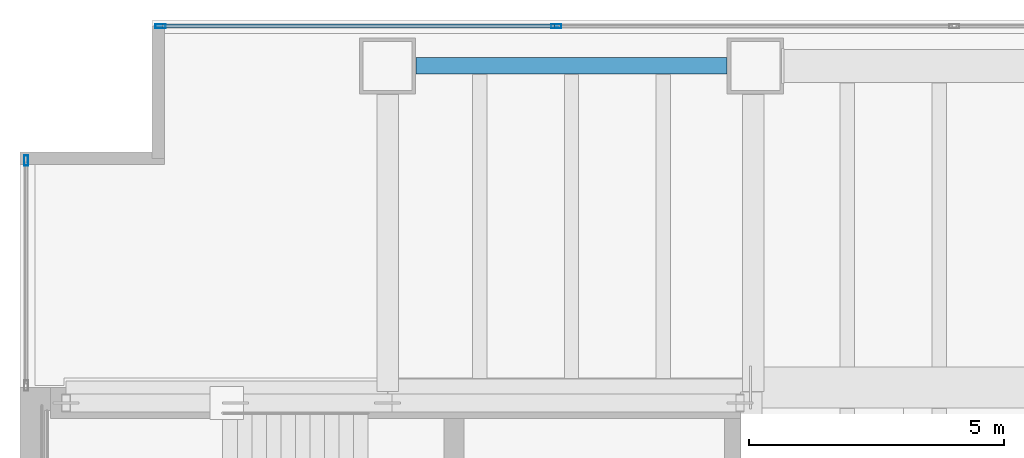
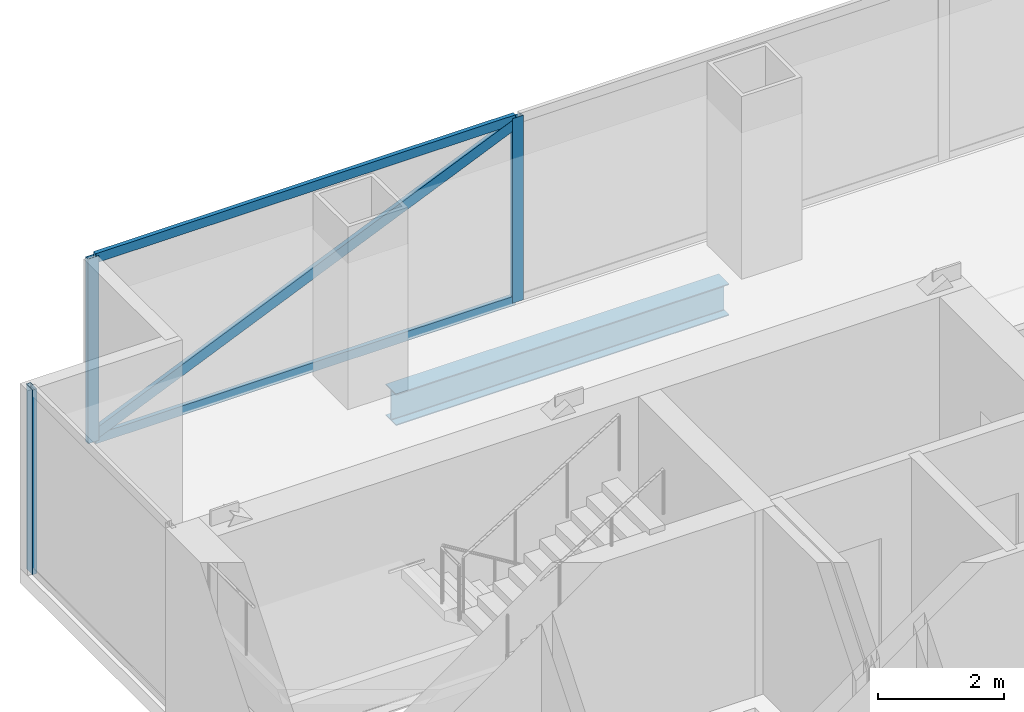
# One storey, part 16 of 24: 6 members, 1 beam, 2 elements without a shape of their own.
"""IFC4 building model written with IfcOpenShell, lengths in metres."""

from ifc_helpers import new_model, si_unit, direction, frame, origin, origin_2d, place, context, subcontext, project, spatial, hollow_rectangle, i_section, extrude, material, material_profile, profile_set, type_object, element, aggregate, save


model = new_model("IFC4")

# Units and contexts
model_context = context("Model", 3, precision=1e-05, world=origin(), true_north=direction((0.0, 1.0)))
body_context = subcontext(model_context, "Body", "Model", "MODEL_VIEW")
ifc_project = project(units=[si_unit("LENGTHUNIT", "METRE"), si_unit("AREAUNIT", "SQUARE_METRE"), si_unit("VOLUMEUNIT", "CUBIC_METRE"), si_unit("PLANEANGLEUNIT", "RADIAN"), si_unit("MASSUNIT", "GRAM", prefix="KILO")], contexts=[model_context])

# Site, building, storey
site_placement = place(None, origin())
site = spatial("IfcSite", under=ifc_project, at=site_placement, CompositionType="ELEMENT")
building_placement = place(site_placement, origin())
building = spatial("IfcBuilding", under=site, at=building_placement, Name="Cobrela Telecom Tower", CompositionType="ELEMENT")
storey_placement = place(building_placement, frame((0.0, 0.0, 31.14990234375)))
storey = spatial("IfcBuildingStorey", under=building, at=storey_placement, Name="L07", CompositionType="ELEMENT", Elevation=31.14990234375)

# Beam
ifc_material_1 = material(Name="Steel ASTM A992 Grade 50", Category="steel")
ifc_material_profile_1 = material_profile(ifc_material_1, i_section(OverallWidth=0.324951171875, OverallDepth=0.612060546875, WebThickness=0.0126953125, FlangeThickness=0.01904296875, FilletRadius=0.014892578125, at=origin_2d()), Name="W24X104")
ifc_profile_set_1 = profile_set([ifc_material_profile_1], Name="Steel ASTM A992 Grade 50")
beam_type = type_object("IfcBeamType", Name="BM-SPAND-02", PredefinedType="SPANDREL", material=ifc_profile_set_1)
beam_placement = place(storey_placement, frame((7.7548828125, 42.300048828125, -0.5859375), z_axis=(1.0, 0.0, 0.0), x_axis=(0.0, 1.0, 0.0)))
element("IfcBeam", 1, at=beam_placement, inside=storey, type_object=beam_type, Name="L07 Perimeter Spandrel X17", PredefinedType="SPANDREL", context=body_context, shape_type="SweptSolid", body=[
    extrude(i_section(OverallWidth=0.324951171875, OverallDepth=0.612060546875, WebThickness=0.0126953125, FlangeThickness=0.01904296875, FilletRadius=0.014892578125, at=origin_2d()), origin(), (0.0, 0.0, 1.0), 6.090087890625),
])

# Curtain wall, member
ifc_material_2 = material(Name="Anodized Bronze Aluminium 6063-T6", Category="aluminium")
curtain_wall_type = type_object("IfcCurtainWallType", Name="CW-SYS-DATA", PredefinedType="USERDEFINED", material=ifc_material_2)
curtain_wall_1_placement = place(storey_placement, origin())
curtain_wall_1 = element("IfcCurtainWall", 2, at=curtain_wall_1_placement, inside=storey, type_object=curtain_wall_type, Name="L07 Unitised Bronze Curtain Wall 04", ObjectType="UNITISED CURTAIN WALL", PredefinedType="USERDEFINED")
ifc_material_profile_2 = material_profile(ifc_material_2, hollow_rectangle(XDim=0.080078125, YDim=0.199951171875, WallThickness=0.00390625, at=origin_2d()), Name="ALU 80x200x4")
ifc_profile_set_2 = profile_set([ifc_material_profile_2], Name="Anodized Bronze Aluminium 6063-T6")
member_type_1 = type_object("IfcMemberType", Name="CW-SYS-DATA-MUL", PredefinedType="MULLION", material=ifc_profile_set_2)
member_1_placement = place(storey_placement, frame((0.1201171875, 40.449951171875, 0.0), z_axis=(0.0, 0.0, 1.0), x_axis=(-1.0, 0.0, 0.0)))
member_1 = element("IfcMember", 3, at=member_1_placement, type_object=member_type_1, Name="CW-DATA mullion 2", PredefinedType="MULLION", context=body_context, shape_type="SweptSolid", body=[
    extrude(hollow_rectangle(XDim=0.080078125, YDim=0.199951171875, WallThickness=0.00390625, at=origin_2d()), origin(), (0.0, 0.0, 1.0), 3.570068359375),
])
aggregate(curtain_wall_1, [member_1])

# Curtain wall, members
curtain_wall_2_placement = place(storey_placement, origin())
curtain_wall_2 = element("IfcCurtainWall", 4, at=curtain_wall_2_placement, inside=storey, type_object=curtain_wall_type, Name="L07 Unitised Bronze Curtain Wall 07", ObjectType="UNITISED CURTAIN WALL", PredefinedType="USERDEFINED")
member_2_placement = place(storey_placement, frame((2.75, 43.080078125, 0.0), z_axis=(0.0, 0.0, 1.0), x_axis=(0.0, 1.0, 0.0)))
member_2 = element("IfcMember", 5, at=member_2_placement, type_object=member_type_1, Name="CW-DATA mullion 1", PredefinedType="MULLION", context=body_context, shape_type="SweptSolid", body=[
    extrude(hollow_rectangle(XDim=0.080078125, YDim=0.199951171875, WallThickness=0.00390625, at=origin_2d()), origin(), (0.0, 0.0, 1.0), 3.570068359375),
])
member_3_placement = place(storey_placement, frame((10.50341796875, 43.080078125, 0.0), z_axis=(0.0, 0.0, 1.0), x_axis=(0.0, 1.0, 0.0)))
member_3 = element("IfcMember", 6, at=member_3_placement, type_object=member_type_1, Name="CW-DATA mullion 2", PredefinedType="MULLION", context=body_context, shape_type="SweptSolid", body=[
    extrude(hollow_rectangle(XDim=0.080078125, YDim=0.199951171875, WallThickness=0.00390625, at=origin_2d()), origin(), (0.0, 0.0, 1.0), 3.570068359375),
])
member_4_placement = place(storey_placement, frame((2.7099609375, 43.080078125, 0.10009765625), z_axis=(0.917858168388, 0.0, 0.396908531935), x_axis=(0.0, 1.0, 0.0)))
member_4 = element("IfcMember", 7, at=member_4_placement, type_object=member_type_1, Name="L07 Faceted Curtain Wall Diagonal Glazing Mullion", PredefinedType="MULLION", context=body_context, shape_type="SweptSolid", body=[
    extrude(hollow_rectangle(XDim=0.080078125, YDim=0.199951171875, WallThickness=0.00390625, at=origin_2d()), origin(), (0.0, 0.0, 1.0), 8.490966796875),
])
ifc_material_profile_3 = material_profile(ifc_material_2, hollow_rectangle(XDim=0.074951171875, YDim=0.179931640625, WallThickness=0.00390625, at=origin_2d()), Name="ALU 75x180x4")
ifc_profile_set_3 = profile_set([ifc_material_profile_3], Name="Anodized Bronze Aluminium 6063-T6")
member_type_2 = type_object("IfcMemberType", Name="CW-SYS-DATA-TRN", PredefinedType="USERDEFINED", material=ifc_profile_set_3)
member_5_placement = place(storey_placement, frame((2.7900390625, 43.080078125, 0.03759765625), z_axis=(1.0, 0.0, 0.0), x_axis=(0.0, 1.0, 0.0)))
member_5 = element("IfcMember", 8, at=member_5_placement, type_object=member_type_2, Name="CW-DATA transom 1.1", ObjectType="TRANSOM", PredefinedType="USERDEFINED", context=body_context, shape_type="SweptSolid", body=[
    extrude(hollow_rectangle(XDim=0.074951171875, YDim=0.179931640625, WallThickness=0.00390625, at=origin_2d()), origin(), (0.0, 0.0, 1.0), 7.67333984375),
])
member_6_placement = place(storey_placement, frame((2.7900390625, 43.080078125, 3.53271484375), z_axis=(1.0, 0.0, 0.0), x_axis=(0.0, 1.0, 0.0)))
member_6 = element("IfcMember", 9, at=member_6_placement, type_object=member_type_2, Name="CW-DATA transom 1.2", ObjectType="TRANSOM", PredefinedType="USERDEFINED", context=body_context, shape_type="SweptSolid", body=[
    extrude(hollow_rectangle(XDim=0.074951171875, YDim=0.179931640625, WallThickness=0.00390625, at=origin_2d()), origin(), (0.0, 0.0, 1.0), 7.67333984375),
])
aggregate(curtain_wall_2, [member_2, member_3, member_5, member_6, member_4])

save(model, "model.ifc")
